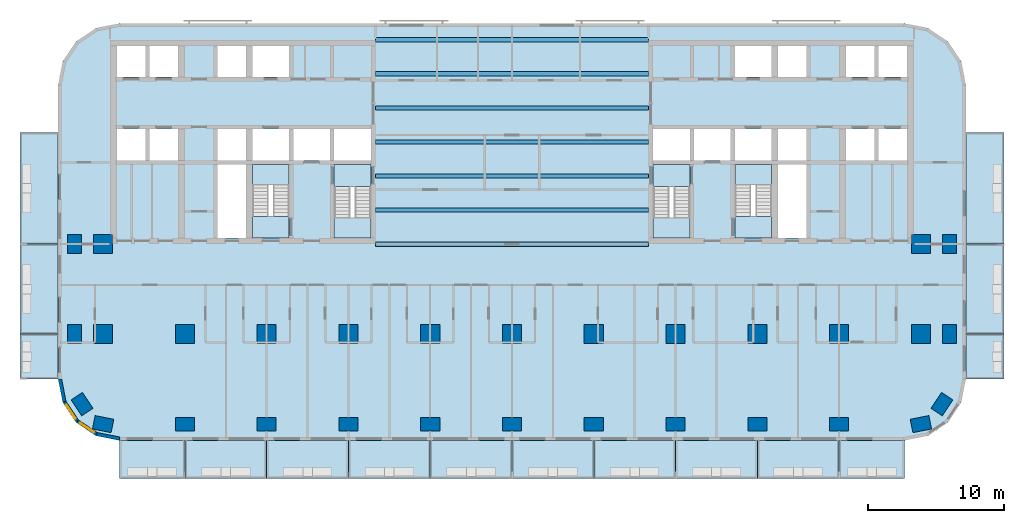
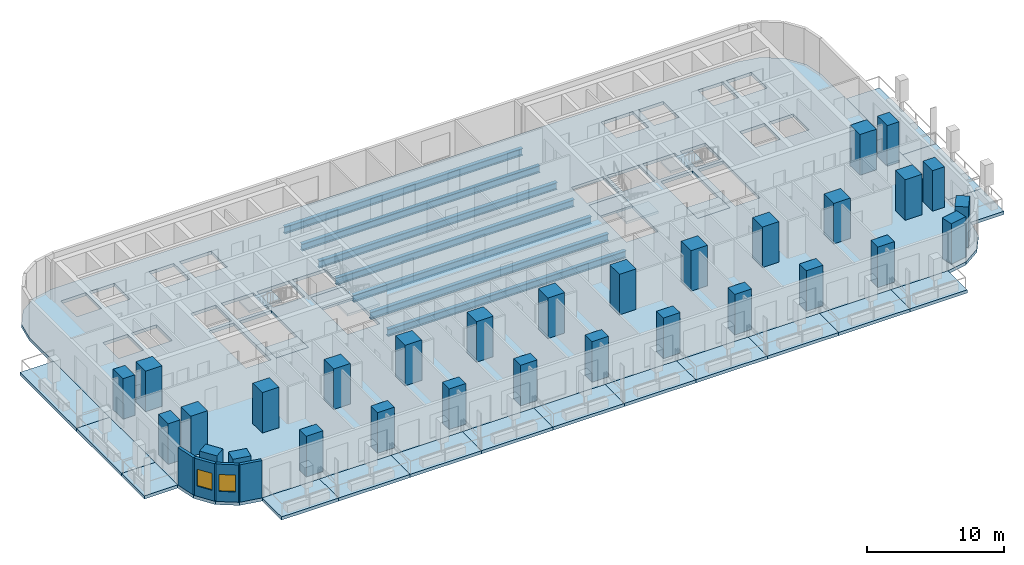
# One storey, part 1 of 15: 30 columns, 25 slabs, 7 beams, 4 walls, 2 windows, 2 openings, 4 elements without a shape of their own.
"""IFC4 building model written with IfcOpenShell, lengths in metres."""

from ifc_helpers import new_model, si_unit, direction, frame, frame_2d, origin, origin_2d, place, context, subcontext, project, spatial, polyline, rectangle, i_section, outline, extrude, material, layer, layer_set, material_profile, profile_set, type_object, element, fill, aggregate, save


model = new_model("IFC4")

# Units and contexts
model_context = context("Model", 3, precision=1e-05, world=origin(), true_north=direction((0.0, 1.0)))
body_context = subcontext(model_context, "Body", "Model", "MODEL_VIEW")
ifc_project = project(units=[si_unit("LENGTHUNIT", "METRE"), si_unit("AREAUNIT", "SQUARE_METRE"), si_unit("VOLUMEUNIT", "CUBIC_METRE"), si_unit("PLANEANGLEUNIT", "RADIAN"), si_unit("MASSUNIT", "GRAM", prefix="KILO")], contexts=[model_context])

# Site, building, storey
site_placement = place(None, origin())
site = spatial("IfcSite", under=ifc_project, at=site_placement, CompositionType="ELEMENT")
building_placement = place(site_placement, origin())
building = spatial("IfcBuilding", under=site, at=building_placement, Name="Torana Hotel and Residences", CompositionType="ELEMENT")
storey_placement = place(building_placement, frame((0.0, 0.0, 42.0)))
storey = spatial("IfcBuildingStorey", under=building, at=storey_placement, Name="L09", CompositionType="ELEMENT", Elevation=42.0)

# Columns
ifc_material_1 = material(Name="Concrete C70/85", Category="concrete")
ifc_material_profile_1 = material_profile(ifc_material_1, rectangle(XDim=1.39990234375, YDim=1.0, at=origin_2d()), Name="RC 1400x1000")
ifc_profile_set_1 = profile_set([ifc_material_profile_1], Name="Concrete C70/85")
column_type_1 = type_object("IfcColumnType", Name="COLUMN RC 1400x1000 C70/85", PredefinedType="COLUMN", material=ifc_profile_set_1)
for number, where, z_axis, x_axis, name in (
    (1, (-32.10009765625, -21.60009765625, 0.0), (0.0, 0.0, 1.0), (0.0, 1.0, 0.0), "Column L09"),
    (2, (-32.10009765625, -15.0, 0.0), (0.0, 0.0, 1.0), (0.0, 1.0, 0.0), "Column L09"),
    (3, (-31.5439453125, -26.73291015625, 0.0), (0.0, 0.0, 1.0), (-0.555584744817, 0.831459915646, 0.0), "Column L09"),
    (4, (-30.0, -28.199951171875, 0.0), (0.0, 0.0, 1.0), (-0.980792089743, 0.195056086032, 0.0), "Column L09"),
    (5, (-24.0, -28.199951171875, 0.0), (0.0, 0.0, 1.0), (1.0, 0.0, 0.0), "Column L09"),
    (6, (-18.0, -28.199951171875, 0.0), (0.0, 0.0, 1.0), (1.0, 0.0, 0.0), "Column L09"),
    (7, (-12.0, -28.199951171875, 0.0), (0.0, 0.0, 1.0), (1.0, 0.0, 0.0), "Column L09"),
    (8, (-6.0, -28.199951171875, 0.0), (0.0, 0.0, 1.0), (1.0, 0.0, 0.0), "Column L09"),
    (9, (0.0, -28.199951171875, 0.0), (0.0, 0.0, 1.0), (1.0, 0.0, 0.0), "Column L09"),
    (10, (6.0, -28.199951171875, 0.0), (0.0, 0.0, 1.0), (1.0, 0.0, 0.0), "Column L09"),
    (11, (12.0, -28.199951171875, 0.0), (0.0, 0.0, 1.0), (1.0, 0.0, 0.0), "Column L09"),
    (12, (18.0, -28.199951171875, 0.0), (0.0, 0.0, 1.0), (1.0, 0.0, 0.0), "Column L09"),
    (13, (24.0, -28.199951171875, 0.0), (0.0, 0.0, 1.0), (1.0, 0.0, 0.0), "Column L09"),
    (14, (30.0, -28.199951171875, 0.0), (0.0, 0.0, 1.0), (0.980792089743, 0.195056086032, 0.0), "Column L09"),
    (15, (31.5439453125, -26.73291015625, 0.0), (0.0, 0.0, 1.0), (0.555584744817, 0.831459915646, 0.0), "Column L09"),
    (16, (32.10009765625, -21.60009765625, 0.0), (0.0, 0.0, 1.0), (0.0, 1.0, 0.0), "Column L09"),
    (17, (32.10009765625, -15.0, 0.0), (0.0, 0.0, 1.0), (0.0, 1.0, 0.0), "Column L09"),
):
    element("IfcColumn", number, at=place(storey_placement, frame(where, z_axis=z_axis, x_axis=x_axis)), inside=storey, type_object=column_type_1, Name=name, PredefinedType="COLUMN", context=body_context, shape_type="SweptSolid", body=[
        extrude(rectangle(XDim=1.39990234375, YDim=1.0, at=origin_2d()), origin(), (0.0, 0.0, 1.0), 3.60009765625),
    ])
ifc_material_2 = material(Name="Concrete C70/85", Category="concrete")
ifc_material_profile_2 = material_profile(ifc_material_2, rectangle(XDim=1.39990234375, YDim=1.39990234375, at=origin_2d()), Name="RC 1400x1400")
ifc_profile_set_2 = profile_set([ifc_material_profile_2], Name="Concrete C70/85")
column_type_2 = type_object("IfcColumnType", Name="COLUMN RC 1400x1400 C70/85", PredefinedType="COLUMN", material=ifc_profile_set_2)
for number, where, z_axis, x_axis, name in (
    (18, (-30.0, -21.60009765625, 0.0), (0.0, 0.0, 1.0), (1.0, 0.0, 0.0), "Column L09"),
    (19, (-30.0, -15.0, 0.0), (0.0, 0.0, 1.0), (1.0, 0.0, 0.0), "Column L09"),
    (20, (-24.0, -21.60009765625, 0.0), (0.0, 0.0, 1.0), (1.0, 0.0, 0.0), "Column L09"),
    (21, (-18.0, -21.60009765625, 0.0), (0.0, 0.0, 1.0), (1.0, 0.0, 0.0), "Column L09"),
    (22, (-12.0, -21.60009765625, 0.0), (0.0, 0.0, 1.0), (1.0, 0.0, 0.0), "Column L09"),
    (23, (-6.0, -21.60009765625, 0.0), (0.0, 0.0, 1.0), (1.0, 0.0, 0.0), "Column L09"),
    (24, (0.0, -21.60009765625, 0.0), (0.0, 0.0, 1.0), (1.0, 0.0, 0.0), "Column L09"),
    (25, (6.0, -21.60009765625, 0.0), (0.0, 0.0, 1.0), (1.0, 0.0, 0.0), "Column L09"),
    (26, (12.0, -21.60009765625, 0.0), (0.0, 0.0, 1.0), (1.0, 0.0, 0.0), "Column L09"),
    (27, (18.0, -21.60009765625, 0.0), (0.0, 0.0, 1.0), (1.0, 0.0, 0.0), "Column L09"),
    (28, (24.0, -21.60009765625, 0.0), (0.0, 0.0, 1.0), (1.0, 0.0, 0.0), "Column L09"),
    (29, (30.0, -21.60009765625, 0.0), (0.0, 0.0, 1.0), (1.0, 0.0, 0.0), "Column L09"),
    (30, (30.0, -15.0, 0.0), (0.0, 0.0, 1.0), (1.0, 0.0, 0.0), "Column L09"),
):
    element("IfcColumn", number, at=place(storey_placement, frame(where, z_axis=z_axis, x_axis=x_axis)), inside=storey, type_object=column_type_2, Name=name, PredefinedType="COLUMN", context=body_context, shape_type="SweptSolid", body=[
        extrude(rectangle(XDim=1.39990234375, YDim=1.39990234375, at=origin_2d()), origin(), (0.0, 0.0, 1.0), 3.60009765625),
    ])

# Beams
ifc_material_3 = material(Name="Steel S355", Category="steel")
ifc_material_profile_3 = material_profile(ifc_material_3, i_section(OverallWidth=0.311279296875, OverallDepth=0.6357421875, WebThickness=0.018310546875, FlangeThickness=0.031494140625, FilletRadius=0.0166015625, at=origin_2d()), Name="610x305x238 UB")
ifc_profile_set_3 = profile_set([ifc_material_profile_3], Name="Steel S355")
beam_type = type_object("IfcBeamType", Name="STEEL GIRDER 610x305x238 UB", PredefinedType="BEAM", material=ifc_profile_set_3)
for number, where, z_axis, x_axis, name in (
    (31, (-10.0, -15.0, -0.597900390625), (1.0, 0.0, 0.0), (0.0, 1.0, 0.0), "Floor girder"),
    (32, (-10.0, -12.5, -0.597900390625), (1.0, 0.0, 0.0), (0.0, 1.0, 0.0), "Floor girder"),
    (33, (-10.0, -10.0, -0.597900390625), (1.0, 0.0, 0.0), (0.0, 1.0, 0.0), "Floor girder"),
    (34, (-10.0, -7.5, -0.597900390625), (1.0, 0.0, 0.0), (0.0, 1.0, 0.0), "Floor girder"),
    (35, (-10.0, -5.0, -0.597900390625), (1.0, 0.0, 0.0), (0.0, 1.0, 0.0), "Floor girder"),
    (36, (-10.0, -2.5, -0.597900390625), (1.0, 0.0, 0.0), (0.0, 1.0, 0.0), "Floor girder"),
    (37, (-10.0, 0.0, -0.597900390625), (1.0, 0.0, 0.0), (0.0, 1.0, 0.0), "Floor girder"),
):
    element("IfcBeam", number, at=place(storey_placement, frame(where, z_axis=z_axis, x_axis=x_axis)), inside=storey, type_object=beam_type, Name=name, PredefinedType="BEAM", context=body_context, shape_type="SweptSolid", body=[
        extrude(i_section(OverallWidth=0.311279296875, OverallDepth=0.6357421875, WebThickness=0.018310546875, FlangeThickness=0.031494140625, FilletRadius=0.0166015625, at=origin_2d()), origin(), (0.0, 0.0, 1.0), 20.0),
    ])

# Slabs
ifc_material_4 = material(Name="Concrete C40/50", Category="concrete")
ifc_layer_1 = layer(ifc_material_4, 0.280029296875)
ifc_layer_set_1 = layer_set([ifc_layer_1], Name="BAL1 BALCONY SLAB 280")
slab_type_1 = type_object("IfcSlabType", Name="BAL1 BALCONY SLAB 280", PredefinedType="USERDEFINED", material=ifc_layer_set_1)
slab_1_placement = place(storey_placement, frame((0.0, 0.0, -0.280029296875)))
element("IfcSlab", 38, at=slab_1_placement, inside=storey, type_object=slab_type_1, Name="Balcony 01", ObjectType="BALCONY", PredefinedType="USERDEFINED", context=body_context, shape_type="SweptSolid", body=[
    extrude(outline(polyline([(-28.800048828125, -32.199951171875), (-24.0, -32.199951171875), (-24.0, -29.39990234375), (-28.800048828125, -29.39990234375), (-28.800048828125, -32.199951171875)])), origin(), (0.0, 0.0, 1.0), 0.280029296875),
])
slab_2_placement = place(storey_placement, frame((0.0, 0.0, -0.280029296875)))
element("IfcSlab", 39, at=slab_2_placement, inside=storey, type_object=slab_type_1, Name="Balcony 02", ObjectType="BALCONY", PredefinedType="USERDEFINED", context=body_context, shape_type="SweptSolid", body=[
    extrude(outline(polyline([(-24.0, -32.199951171875), (-18.0, -32.199951171875), (-18.0, -29.39990234375), (-24.0, -29.39990234375), (-24.0, -32.199951171875)])), origin(), (0.0, 0.0, 1.0), 0.280029296875),
])
slab_3_placement = place(storey_placement, frame((0.0, 0.0, -0.280029296875)))
element("IfcSlab", 40, at=slab_3_placement, inside=storey, type_object=slab_type_1, Name="Balcony 03", ObjectType="BALCONY", PredefinedType="USERDEFINED", context=body_context, shape_type="SweptSolid", body=[
    extrude(outline(polyline([(-18.0, -32.199951171875), (-12.0, -32.199951171875), (-12.0, -29.39990234375), (-18.0, -29.39990234375), (-18.0, -32.199951171875)])), origin(), (0.0, 0.0, 1.0), 0.280029296875),
])
slab_4_placement = place(storey_placement, frame((0.0, 0.0, -0.280029296875)))
element("IfcSlab", 41, at=slab_4_placement, inside=storey, type_object=slab_type_1, Name="Balcony 04", ObjectType="BALCONY", PredefinedType="USERDEFINED", context=body_context, shape_type="SweptSolid", body=[
    extrude(outline(polyline([(-12.0, -32.199951171875), (-6.0, -32.199951171875), (-6.0, -29.39990234375), (-12.0, -29.39990234375), (-12.0, -32.199951171875)])), origin(), (0.0, 0.0, 1.0), 0.280029296875),
])
slab_5_placement = place(storey_placement, frame((0.0, 0.0, -0.280029296875)))
element("IfcSlab", 42, at=slab_5_placement, inside=storey, type_object=slab_type_1, Name="Balcony 05", ObjectType="BALCONY", PredefinedType="USERDEFINED", context=body_context, shape_type="SweptSolid", body=[
    extrude(outline(polyline([(-6.0, -32.199951171875), (0.0, -32.199951171875), (0.0, -29.39990234375), (-6.0, -29.39990234375), (-6.0, -32.199951171875)])), origin(), (0.0, 0.0, 1.0), 0.280029296875),
])
slab_6_placement = place(storey_placement, frame((0.0, 0.0, -0.280029296875)))
element("IfcSlab", 43, at=slab_6_placement, inside=storey, type_object=slab_type_1, Name="Balcony 06", ObjectType="BALCONY", PredefinedType="USERDEFINED", context=body_context, shape_type="SweptSolid", body=[
    extrude(outline(polyline([(0.0, -32.199951171875), (6.0, -32.199951171875), (6.0, -29.39990234375), (0.0, -29.39990234375), (0.0, -32.199951171875)])), origin(), (0.0, 0.0, 1.0), 0.280029296875),
])
slab_7_placement = place(storey_placement, frame((0.0, 0.0, -0.280029296875)))
element("IfcSlab", 44, at=slab_7_placement, inside=storey, type_object=slab_type_1, Name="Balcony 07", ObjectType="BALCONY", PredefinedType="USERDEFINED", context=body_context, shape_type="SweptSolid", body=[
    extrude(outline(polyline([(6.0, -32.199951171875), (12.0, -32.199951171875), (12.0, -29.39990234375), (6.0, -29.39990234375), (6.0, -32.199951171875)])), origin(), (0.0, 0.0, 1.0), 0.280029296875),
])
slab_8_placement = place(storey_placement, frame((0.0, 0.0, -0.280029296875)))
element("IfcSlab", 45, at=slab_8_placement, inside=storey, type_object=slab_type_1, Name="Balcony 08", ObjectType="BALCONY", PredefinedType="USERDEFINED", context=body_context, shape_type="SweptSolid", body=[
    extrude(outline(polyline([(12.0, -32.199951171875), (18.0, -32.199951171875), (18.0, -29.39990234375), (12.0, -29.39990234375), (12.0, -32.199951171875)])), origin(), (0.0, 0.0, 1.0), 0.280029296875),
])
slab_9_placement = place(storey_placement, frame((0.0, 0.0, -0.280029296875)))
element("IfcSlab", 46, at=slab_9_placement, inside=storey, type_object=slab_type_1, Name="Balcony 09", ObjectType="BALCONY", PredefinedType="USERDEFINED", context=body_context, shape_type="SweptSolid", body=[
    extrude(outline(polyline([(18.0, -32.199951171875), (24.0, -32.199951171875), (24.0, -29.39990234375), (18.0, -29.39990234375), (18.0, -32.199951171875)])), origin(), (0.0, 0.0, 1.0), 0.280029296875),
])
slab_10_placement = place(storey_placement, frame((0.0, 0.0, -0.280029296875)))
element("IfcSlab", 47, at=slab_10_placement, inside=storey, type_object=slab_type_1, Name="Balcony 10", ObjectType="BALCONY", PredefinedType="USERDEFINED", context=body_context, shape_type="SweptSolid", body=[
    extrude(outline(polyline([(24.0, -32.199951171875), (28.800048828125, -32.199951171875), (28.800048828125, -29.39990234375), (24.0, -29.39990234375), (24.0, -32.199951171875)])), origin(), (0.0, 0.0, 1.0), 0.280029296875),
])
slab_11_placement = place(storey_placement, frame((0.0, 0.0, -0.280029296875)))
element("IfcSlab", 48, at=slab_11_placement, inside=storey, type_object=slab_type_1, Name="Balcony 11", ObjectType="BALCONY", PredefinedType="USERDEFINED", context=body_context, shape_type="SweptSolid", body=[
    extrude(outline(polyline([(-36.10009765625, -24.89990234375), (-33.300048828125, -24.89990234375), (-33.300048828125, -21.60009765625), (-36.10009765625, -21.60009765625), (-36.10009765625, -24.89990234375)])), origin(), (0.0, 0.0, 1.0), 0.280029296875),
])
slab_12_placement = place(storey_placement, frame((0.0, 0.0, -0.280029296875)))
element("IfcSlab", 49, at=slab_12_placement, inside=storey, type_object=slab_type_1, Name="Balcony 12", ObjectType="BALCONY", PredefinedType="USERDEFINED", context=body_context, shape_type="SweptSolid", body=[
    extrude(outline(polyline([(-36.10009765625, -21.60009765625), (-33.300048828125, -21.60009765625), (-33.300048828125, -15.0), (-36.10009765625, -15.0), (-36.10009765625, -21.60009765625)])), origin(), (0.0, 0.0, 1.0), 0.280029296875),
])
slab_13_placement = place(storey_placement, frame((0.0, 0.0, -0.280029296875)))
element("IfcSlab", 50, at=slab_13_placement, inside=storey, type_object=slab_type_1, Name="Balcony 13", ObjectType="BALCONY", PredefinedType="USERDEFINED", context=body_context, shape_type="SweptSolid", body=[
    extrude(outline(polyline([(-36.10009765625, -15.0), (-33.300048828125, -15.0), (-33.300048828125, -6.800048828125), (-36.10009765625, -6.800048828125), (-36.10009765625, -15.0)])), origin(), (0.0, 0.0, 1.0), 0.280029296875),
])
slab_14_placement = place(storey_placement, frame((0.0, 0.0, -0.280029296875)))
element("IfcSlab", 51, at=slab_14_placement, inside=storey, type_object=slab_type_1, Name="Balcony 14", ObjectType="BALCONY", PredefinedType="USERDEFINED", context=body_context, shape_type="SweptSolid", body=[
    extrude(outline(polyline([(33.300048828125, -24.89990234375), (36.10009765625, -24.89990234375), (36.10009765625, -21.60009765625), (33.300048828125, -21.60009765625), (33.300048828125, -24.89990234375)])), origin(), (0.0, 0.0, 1.0), 0.280029296875),
])
slab_15_placement = place(storey_placement, frame((0.0, 0.0, -0.280029296875)))
element("IfcSlab", 52, at=slab_15_placement, inside=storey, type_object=slab_type_1, Name="Balcony 15", ObjectType="BALCONY", PredefinedType="USERDEFINED", context=body_context, shape_type="SweptSolid", body=[
    extrude(outline(polyline([(33.300048828125, -21.60009765625), (36.10009765625, -21.60009765625), (36.10009765625, -15.0), (33.300048828125, -15.0), (33.300048828125, -21.60009765625)])), origin(), (0.0, 0.0, 1.0), 0.280029296875),
])
slab_16_placement = place(storey_placement, frame((0.0, 0.0, -0.280029296875)))
element("IfcSlab", 53, at=slab_16_placement, inside=storey, type_object=slab_type_1, Name="Balcony 16", ObjectType="BALCONY", PredefinedType="USERDEFINED", context=body_context, shape_type="SweptSolid", body=[
    extrude(outline(polyline([(33.300048828125, -15.0), (36.10009765625, -15.0), (36.10009765625, -6.800048828125), (33.300048828125, -6.800048828125), (33.300048828125, -15.0)])), origin(), (0.0, 0.0, 1.0), 0.280029296875),
])
ifc_material_5 = material(Name="Concrete C40/50", Category="concrete")
ifc_layer_2 = layer(ifc_material_5, 0.280029296875)
ifc_layer_set_2 = layer_set([ifc_layer_2], Name="FLOOR SLAB PT 280")
slab_type_2 = type_object("IfcSlabType", Name="FLOOR SLAB PT 280", PredefinedType="FLOOR", material=ifc_layer_set_2)
slab_17_placement = place(storey_placement, frame((0.0, 0.0, -0.280029296875)))
element("IfcSlab", 54, at=slab_17_placement, inside=storey, type_object=slab_type_2, Name="Floor slab", PredefinedType="FLOOR", context=body_context, shape_type="SweptSolid", body=[
    extrude(outline(polyline([(33.300048828125, -3.300048828125), (32.95751953125, -1.577880859375), (31.98193359375, -0.117919921875), (30.522216796875, 0.857421875), (28.800048828125, 1.199951171875), (-28.800048828125, 1.199951171875), (-30.522216796875, 0.857421875), (-31.98193359375, -0.117919921875), (-32.95751953125, -1.577880859375), (-33.300048828125, -3.300048828125), (-33.300048828125, -24.89990234375), (-32.95751953125, -26.6220703125), (-31.98193359375, -28.08203125), (-30.522216796875, -29.0576171875), (-28.800048828125, -29.39990234375), (28.800048828125, -29.39990234375), (30.522216796875, -29.0576171875), (31.98193359375, -28.08203125), (32.95751953125, -26.6220703125), (33.300048828125, -24.89990234375), (33.300048828125, -3.300048828125)]), holes=[polyline([(-13.050048828125, -14.550048828125), (-10.35009765625, -14.550048828125), (-10.35009765625, -9.14990234375), (-13.050048828125, -9.14990234375), (-13.050048828125, -14.550048828125)]), polyline([(-19.050048828125, -14.550048828125), (-16.35009765625, -14.550048828125), (-16.35009765625, -9.14990234375), (-19.050048828125, -9.14990234375), (-19.050048828125, -14.550048828125)]), polyline([(-19.050048828125, -2.75), (-16.35009765625, -2.75), (-16.35009765625, -0.449951171875), (-19.050048828125, -0.449951171875), (-19.050048828125, -2.75)]), polyline([(-26.60009765625, -2.75), (-24.5, -2.75), (-24.5, -0.449951171875), (-26.60009765625, -0.449951171875), (-26.60009765625, -2.75)]), polyline([(-29.0, -2.75), (-26.89990234375, -2.75), (-26.89990234375, -0.449951171875), (-29.0, -0.449951171875), (-29.0, -2.75)]), polyline([(-26.60009765625, -8.85009765625), (-24.5, -8.85009765625), (-24.5, -6.550048828125), (-26.60009765625, -6.550048828125), (-26.60009765625, -8.85009765625)]), polyline([(-29.0, -8.85009765625), (-26.89990234375, -8.85009765625), (-26.89990234375, -6.550048828125), (-29.0, -6.550048828125), (-29.0, -8.85009765625)]), polyline([(-21.60009765625, -2.75), (-19.5, -2.75), (-19.5, -0.449951171875), (-21.60009765625, -0.449951171875), (-21.60009765625, -2.75)]), polyline([(-21.60009765625, -8.85009765625), (-19.5, -8.85009765625), (-19.5, -6.550048828125), (-21.60009765625, -6.550048828125), (-21.60009765625, -8.85009765625)]), polyline([(-13.050048828125, -8.85009765625), (-10.35009765625, -8.85009765625), (-10.35009765625, -6.550048828125), (-13.050048828125, -6.550048828125), (-13.050048828125, -8.85009765625)]), polyline([(-16.050048828125, -8.85009765625), (-13.35009765625, -8.85009765625), (-13.35009765625, -6.550048828125), (-16.050048828125, -6.550048828125), (-16.050048828125, -8.85009765625)]), polyline([(-19.050048828125, -8.85009765625), (-16.35009765625, -8.85009765625), (-16.35009765625, -6.550048828125), (-19.050048828125, -6.550048828125), (-19.050048828125, -8.85009765625)]), polyline([(-21.60009765625, -14.550048828125), (-19.5, -14.550048828125), (-19.5, -9.14990234375), (-21.60009765625, -9.14990234375), (-21.60009765625, -14.550048828125)]), polyline([(10.35009765625, -14.550048828125), (13.050048828125, -14.550048828125), (13.050048828125, -9.14990234375), (10.35009765625, -9.14990234375), (10.35009765625, -14.550048828125)]), polyline([(16.35009765625, -14.550048828125), (19.050048828125, -14.550048828125), (19.050048828125, -9.14990234375), (16.35009765625, -9.14990234375), (16.35009765625, -14.550048828125)]), polyline([(16.35009765625, -2.75), (19.050048828125, -2.75), (19.050048828125, -0.449951171875), (16.35009765625, -0.449951171875), (16.35009765625, -2.75)]), polyline([(24.5, -2.75), (26.60009765625, -2.75), (26.60009765625, -0.449951171875), (24.5, -0.449951171875), (24.5, -2.75)]), polyline([(26.89990234375, -2.75), (29.0, -2.75), (29.0, -0.449951171875), (26.89990234375, -0.449951171875), (26.89990234375, -2.75)]), polyline([(24.5, -8.85009765625), (26.60009765625, -8.85009765625), (26.60009765625, -6.550048828125), (24.5, -6.550048828125), (24.5, -8.85009765625)]), polyline([(26.89990234375, -8.85009765625), (29.0, -8.85009765625), (29.0, -6.550048828125), (26.89990234375, -6.550048828125), (26.89990234375, -8.85009765625)]), polyline([(19.5, -2.75), (21.60009765625, -2.75), (21.60009765625, -0.449951171875), (19.5, -0.449951171875), (19.5, -2.75)]), polyline([(19.5, -8.85009765625), (21.60009765625, -8.85009765625), (21.60009765625, -6.550048828125), (19.5, -6.550048828125), (19.5, -8.85009765625)]), polyline([(10.35009765625, -8.85009765625), (13.050048828125, -8.85009765625), (13.050048828125, -6.550048828125), (10.35009765625, -6.550048828125), (10.35009765625, -8.85009765625)]), polyline([(13.35009765625, -8.85009765625), (16.050048828125, -8.85009765625), (16.050048828125, -6.550048828125), (13.35009765625, -6.550048828125), (13.35009765625, -8.85009765625)]), polyline([(16.35009765625, -8.85009765625), (19.050048828125, -8.85009765625), (19.050048828125, -6.550048828125), (16.35009765625, -6.550048828125), (16.35009765625, -8.85009765625)]), polyline([(19.5, -14.550048828125), (21.60009765625, -14.550048828125), (21.60009765625, -9.14990234375), (19.5, -9.14990234375), (19.5, -14.550048828125)])]), origin(), (0.0, 0.0, 1.0), 0.280029296875),
])

# Stair, slabs
ifc_material_6 = material(Name="Concrete C40/50 precast", Category="concrete")
stair_type_1 = type_object("IfcStairType", Name="STAIR ST1 HALF TURN 1200", PredefinedType="HALF_TURN_STAIR", material=ifc_material_6)
stair_1_placement = place(storey_placement, origin())
stair_1 = element("IfcStair", 55, at=stair_1_placement, inside=storey, type_object=stair_type_1, Name="Stair ST1 L09", PredefinedType="HALF_TURN_STAIR")
ifc_material_7 = material(Name="Concrete C40/50 precast", Category="concrete")
ifc_layer_3 = layer(ifc_material_7, 0.199951171875)
ifc_layer_set_3 = layer_set([ifc_layer_3], Name="STAIR LANDING 200")
slab_type_3 = type_object("IfcSlabType", Name="STAIR LANDING 200", PredefinedType="LANDING", material=ifc_layer_set_3)
slab_18_placement = place(storey_placement, frame((0.0, 0.0, 1.60009765625)))
slab_18 = element("IfcSlab", 56, at=slab_18_placement, type_object=slab_type_3, Name="ST1 landing 1", PredefinedType="LANDING", context=body_context, shape_type="SweptSolid", body=[
    extrude(outline(polyline([(-13.050048828125, -14.550048828125), (-10.35009765625, -14.550048828125), (-10.35009765625, -13.090087890625), (-13.050048828125, -13.090087890625), (-13.050048828125, -14.550048828125)])), origin(), (0.0, 0.0, 1.0), 0.199951171875),
])
slab_19_placement = place(storey_placement, frame((0.0, 0.0, -0.199951171875)))
slab_19 = element("IfcSlab", 57, at=slab_19_placement, type_object=slab_type_3, Name="ST1 landing 2", PredefinedType="LANDING", context=body_context, shape_type="SweptSolid", body=[
    extrude(outline(polyline([(-13.050048828125, -10.75), (-10.35009765625, -10.75), (-10.35009765625, -9.14990234375), (-13.050048828125, -9.14990234375), (-13.050048828125, -10.75)])), origin(), (0.0, 0.0, 1.0), 0.199951171875),
])
aggregate(stair_1, [slab_18, slab_19])

ifc_material_8 = material(Name="Concrete C40/50 precast", Category="concrete")
stair_type_2 = type_object("IfcStairType", Name="STAIR ST2 HALF TURN 1200", PredefinedType="HALF_TURN_STAIR", material=ifc_material_8)
stair_2_placement = place(storey_placement, origin())
stair_2 = element("IfcStair", 58, at=stair_2_placement, inside=storey, type_object=stair_type_2, Name="Stair ST2 L09", PredefinedType="HALF_TURN_STAIR")
slab_20_placement = place(storey_placement, frame((0.0, 0.0, 1.60009765625)))
slab_20 = element("IfcSlab", 59, at=slab_20_placement, type_object=slab_type_3, Name="ST2 landing 1", PredefinedType="LANDING", context=body_context, shape_type="SweptSolid", body=[
    extrude(outline(polyline([(-19.050048828125, -10.610107421875), (-16.35009765625, -10.610107421875), (-16.35009765625, -9.14990234375), (-19.050048828125, -9.14990234375), (-19.050048828125, -10.610107421875)])), origin(), (0.0, 0.0, 1.0), 0.199951171875),
])
slab_21_placement = place(storey_placement, frame((0.0, 0.0, -0.199951171875)))
slab_21 = element("IfcSlab", 60, at=slab_21_placement, type_object=slab_type_3, Name="ST2 landing 2", PredefinedType="LANDING", context=body_context, shape_type="SweptSolid", body=[
    extrude(outline(polyline([(-19.050048828125, -14.550048828125), (-16.35009765625, -14.550048828125), (-16.35009765625, -12.949951171875), (-19.050048828125, -12.949951171875), (-19.050048828125, -14.550048828125)])), origin(), (0.0, 0.0, 1.0), 0.199951171875),
])
aggregate(stair_2, [slab_20, slab_21])

ifc_material_9 = material(Name="Concrete C40/50 precast", Category="concrete")
stair_type_3 = type_object("IfcStairType", Name="STAIR ST3 HALF TURN 1200", PredefinedType="HALF_TURN_STAIR", material=ifc_material_9)
stair_3_placement = place(storey_placement, origin())
stair_3 = element("IfcStair", 61, at=stair_3_placement, inside=storey, type_object=stair_type_3, Name="Stair ST3 L09", PredefinedType="HALF_TURN_STAIR")
slab_22_placement = place(storey_placement, frame((0.0, 0.0, 1.60009765625)))
slab_22 = element("IfcSlab", 62, at=slab_22_placement, type_object=slab_type_3, Name="ST3 landing 1", PredefinedType="LANDING", context=body_context, shape_type="SweptSolid", body=[
    extrude(outline(polyline([(10.35009765625, -14.550048828125), (13.050048828125, -14.550048828125), (13.050048828125, -13.090087890625), (10.35009765625, -13.090087890625), (10.35009765625, -14.550048828125)])), origin(), (0.0, 0.0, 1.0), 0.199951171875),
])
slab_23_placement = place(storey_placement, frame((0.0, 0.0, -0.199951171875)))
slab_23 = element("IfcSlab", 63, at=slab_23_placement, type_object=slab_type_3, Name="ST3 landing 2", PredefinedType="LANDING", context=body_context, shape_type="SweptSolid", body=[
    extrude(outline(polyline([(10.35009765625, -10.75), (13.050048828125, -10.75), (13.050048828125, -9.14990234375), (10.35009765625, -9.14990234375), (10.35009765625, -10.75)])), origin(), (0.0, 0.0, 1.0), 0.199951171875),
])
aggregate(stair_3, [slab_22, slab_23])

ifc_material_10 = material(Name="Concrete C40/50 precast", Category="concrete")
stair_type_4 = type_object("IfcStairType", Name="STAIR ST4 HALF TURN 1200", PredefinedType="HALF_TURN_STAIR", material=ifc_material_10)
stair_4_placement = place(storey_placement, origin())
stair_4 = element("IfcStair", 64, at=stair_4_placement, inside=storey, type_object=stair_type_4, Name="Stair ST4 L09", PredefinedType="HALF_TURN_STAIR")
slab_24_placement = place(storey_placement, frame((0.0, 0.0, 1.60009765625)))
slab_24 = element("IfcSlab", 65, at=slab_24_placement, type_object=slab_type_3, Name="ST4 landing 1", PredefinedType="LANDING", context=body_context, shape_type="SweptSolid", body=[
    extrude(outline(polyline([(16.35009765625, -10.610107421875), (19.050048828125, -10.610107421875), (19.050048828125, -9.14990234375), (16.35009765625, -9.14990234375), (16.35009765625, -10.610107421875)])), origin(), (0.0, 0.0, 1.0), 0.199951171875),
])
slab_25_placement = place(storey_placement, frame((0.0, 0.0, -0.199951171875)))
slab_25 = element("IfcSlab", 66, at=slab_25_placement, type_object=slab_type_3, Name="ST4 landing 2", PredefinedType="LANDING", context=body_context, shape_type="SweptSolid", body=[
    extrude(outline(polyline([(16.35009765625, -14.550048828125), (19.050048828125, -14.550048828125), (19.050048828125, -12.949951171875), (16.35009765625, -12.949951171875), (16.35009765625, -14.550048828125)])), origin(), (0.0, 0.0, 1.0), 0.199951171875),
])
aggregate(stair_4, [slab_24, slab_25])

# Wall
ifc_material_11 = material(Name="Black aluminium composite panel", Category="aluminium")
ifc_layer_4 = layer(ifc_material_11, 0.00390625, Name="Cladding", Category="cladding")
ifc_material_12 = material(Name="Ventilated air cavity")
ifc_layer_5 = layer(ifc_material_12, 0.0400390625, Name="Ventilated cavity", Category="cavity")
ifc_material_13 = material(Name="Mineral wool insulation")
ifc_layer_6 = layer(ifc_material_13, 0.090087890625, Name="Insulation", Category="insulation")
ifc_material_14 = material(Name="Steel S280GD", Category="steel")
ifc_layer_7 = layer(ifc_material_14, 0.092041015625, Name="Steel stud frame", Category="structure")
ifc_material_15 = material(Name="Fire rated plasterboard")
ifc_layer_8 = layer(ifc_material_15, 0.011962890625, Name="Inner board", Category="finish")
ifc_layer_9 = layer(ifc_material_15, 0.011962890625, Name="Second board", Category="finish")
ifc_layer_set_4 = layer_set([ifc_layer_4, ifc_layer_5, ifc_layer_6, ifc_layer_7, ifc_layer_8, ifc_layer_9], Name="EW1 EXTERNAL WALL BLACK METAL CLAD 250")
wall_type = type_object("IfcWallType", Name="EW1 EXTERNAL WALL BLACK METAL CLAD 250", PredefinedType="SOLIDWALL", material=ifc_layer_set_4)
wall_1_placement = place(storey_placement, frame((-33.172607421875, -24.89990234375, 0.0), z_axis=(0.0, 0.0, 1.0), x_axis=(0.195166572128, -0.980770110232, 0.0)))
element("IfcWall", 67, at=wall_1_placement, inside=storey, type_object=wall_type, Name="External wall L09 e0.10", PredefinedType="SOLIDWALL", context=body_context, shape_type="SweptSolid", body=[
    extrude(rectangle(XDim=1.68115234375, YDim=0.25, at=frame_2d((0.840576171875, 0.0))), origin(), (0.0, 0.0, 1.0), 3.320068359375),
])

# Wall, opening, window
wall_2_placement = place(storey_placement, frame((-32.825927734375, -26.593994140625, 0.0), z_axis=(0.0, 0.0, 1.0), x_axis=(0.55555029066, -0.831482937015, 0.0)))
wall_2 = element("IfcWall", 68, at=wall_2_placement, inside=storey, type_object=wall_type, Name="External wall L09 e0.11", PredefinedType="SOLIDWALL", context=body_context, shape_type="SweptSolid", body=[
    extrude(rectangle(XDim=1.65625, YDim=0.25, at=frame_2d((0.828125, 0.0))), origin(), (0.0, 0.0, 1.0), 3.320068359375),
])
opening_1_placement = place(wall_2_placement, frame((0.228271484375, 0.0, 0.89990234375)))
opening_1 = element("IfcOpeningElement", 69, at=opening_1_placement, cuts=wall_2, Name="Opening W5", PredefinedType="OPENING", context=body_context, shape_type="SweptSolid", body=[
    extrude(rectangle(XDim=1.199951171875, YDim=1.5, at=frame_2d((0.60009765625, 0.75))), frame((0.0, 0.135009765625, 0.0), z_axis=(0.0, -1.0, 0.0), x_axis=(1.0, 0.0, 0.0)), (0.0, 0.0, 1.0), 0.27001953125),
])
ifc_material_16 = material(Name="Dark glass in black aluminium frame", Category="aluminium")
window_type = type_object("IfcWindowType", Name="W5 CORNER FACET WINDOW 1200x1500", PartitioningType="SINGLE_PANEL", PredefinedType="WINDOW", material=ifc_material_16)
window_1_placement = place(opening_1_placement, origin())
window_1 = element("IfcWindow", 70, at=window_1_placement, inside=storey, type_object=window_type, Name="Window L09 e0.11", OverallHeight=1.5, OverallWidth=1.199951171875, PartitioningType="SINGLE_PANEL", PredefinedType="WINDOW", context=body_context, shape_type="SweptSolid", body=[
    extrude(rectangle(XDim=1.199951171875, YDim=1.5, at=frame_2d((0.60009765625, 0.75))), frame((0.0, 0.030029296875, 0.0), z_axis=(0.0, -1.0, 0.0), x_axis=(1.0, 0.0, 0.0)), (0.0, 0.0, 1.0), 0.06005859375),
])
fill(opening_1, window_1)

wall_3_placement = place(storey_placement, frame((-31.87109375, -28.005615234375, 0.0), z_axis=(0.0, 0.0, 1.0), x_axis=(0.831482937015, -0.55555029066, 0.0)))
wall_3 = element("IfcWall", 71, at=wall_3_placement, inside=storey, type_object=wall_type, Name="External wall L09 e0.12", PredefinedType="SOLIDWALL", context=body_context, shape_type="SweptSolid", body=[
    extrude(rectangle(XDim=1.65625, YDim=0.25, at=frame_2d((0.828125, 0.0))), origin(), (0.0, 0.0, 1.0), 3.320068359375),
])
opening_2_placement = place(wall_3_placement, frame((0.228271484375, 0.0, 0.89990234375)))
opening_2 = element("IfcOpeningElement", 72, at=opening_2_placement, cuts=wall_3, Name="Opening W5", PredefinedType="OPENING", context=body_context, shape_type="SweptSolid", body=[
    extrude(rectangle(XDim=1.199951171875, YDim=1.5, at=frame_2d((0.60009765625, 0.75))), frame((0.0, 0.135009765625, 0.0), z_axis=(0.0, -1.0, 0.0), x_axis=(1.0, 0.0, 0.0)), (0.0, 0.0, 1.0), 0.27001953125),
])
window_2_placement = place(opening_2_placement, origin())
window_2 = element("IfcWindow", 73, at=window_2_placement, inside=storey, type_object=window_type, Name="Window L09 e0.12", OverallHeight=1.5, OverallWidth=1.199951171875, PartitioningType="SINGLE_PANEL", PredefinedType="WINDOW", context=body_context, shape_type="SweptSolid", body=[
    extrude(rectangle(XDim=1.199951171875, YDim=1.5, at=frame_2d((0.60009765625, 0.75))), frame((0.0, 0.030029296875, 0.0), z_axis=(0.0, -1.0, 0.0), x_axis=(1.0, 0.0, 0.0)), (0.0, 0.0, 1.0), 0.06005859375),
])
fill(opening_2, window_2)

# Wall
wall_4_placement = place(storey_placement, frame((-30.448974609375, -28.944580078125, 0.0), z_axis=(0.0, 0.0, 1.0), x_axis=(0.980775640221, -0.19513878023, 0.0)))
element("IfcWall", 74, at=wall_4_placement, inside=storey, type_object=wall_type, Name="External wall L09 e0.13", PredefinedType="SOLIDWALL", context=body_context, shape_type="SweptSolid", body=[
    extrude(rectangle(XDim=1.681396484375, YDim=0.25, at=frame_2d((0.8408203125, 0.0))), origin(), (0.0, 0.0, 1.0), 3.320068359375),
])

save(model, "model.ifc")
